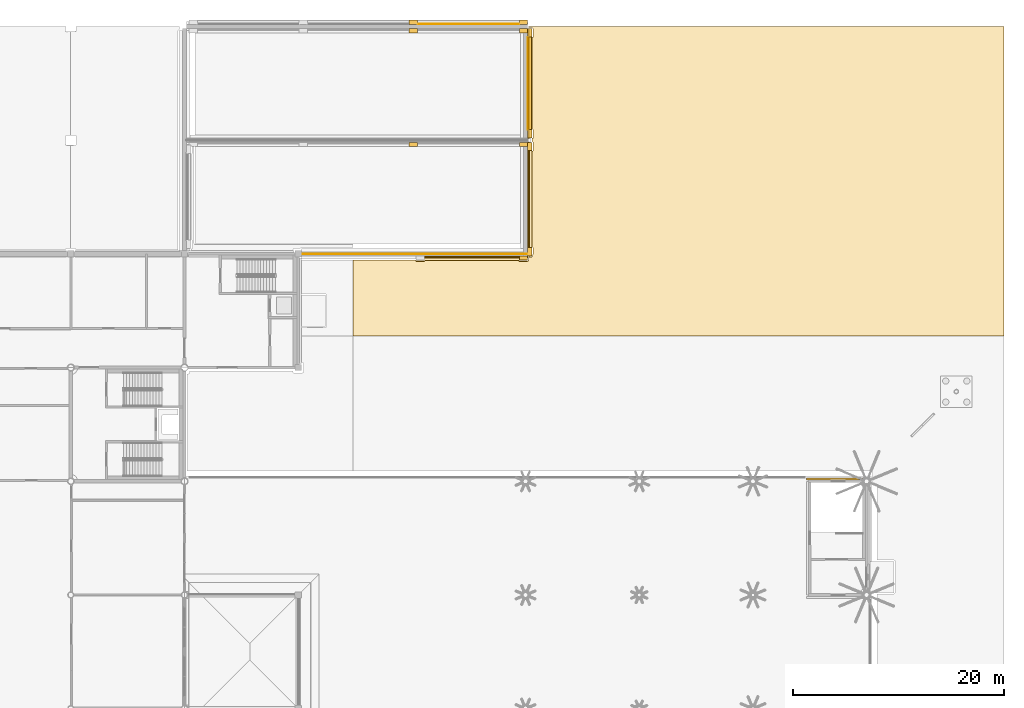
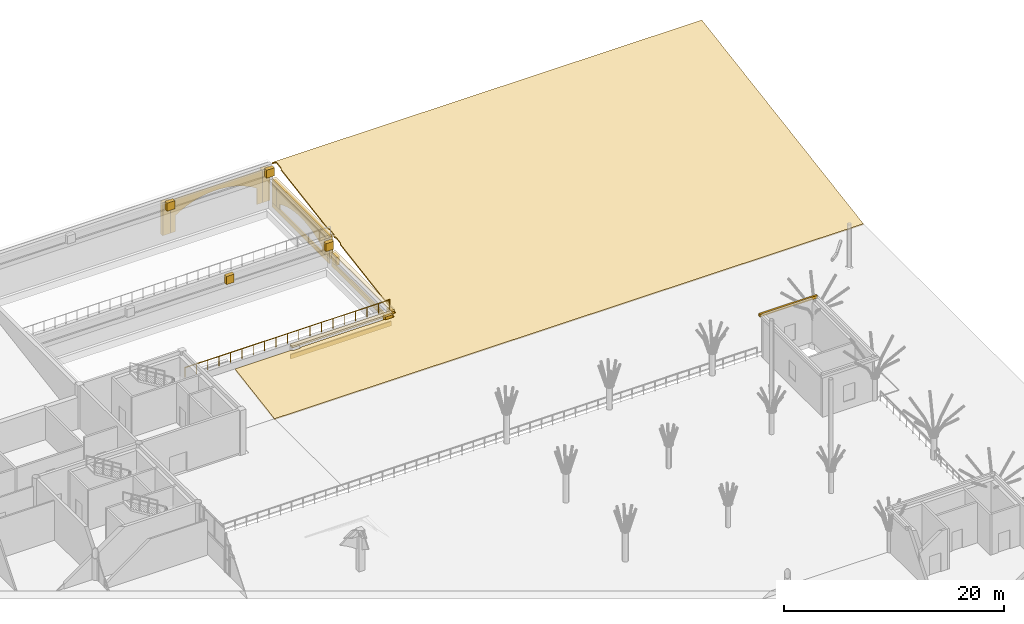
# One storey, part 89 of 91: 22 coverings, 1 railing.
"""IFC4 building model written with IfcOpenShell, lengths in metres."""

from ifc_helpers import new_model, si_unit, direction, frame, origin, origin_2d, place, context, subcontext, project, spatial, polyline, rectangle, circle, outline, extrude, material, layer, layer_set, type_object, element, save


model = new_model("IFC4")

# Units and contexts
model_context = context("Model", 3, precision=1e-05, world=origin(), true_north=direction((0.0, 1.0)))
body_context = subcontext(model_context, "Body", "Model", "MODEL_VIEW")
ifc_project = project(units=[si_unit("LENGTHUNIT", "METRE"), si_unit("AREAUNIT", "SQUARE_METRE"), si_unit("VOLUMEUNIT", "CUBIC_METRE"), si_unit("PLANEANGLEUNIT", "RADIAN"), si_unit("MASSUNIT", "GRAM", prefix="KILO")], contexts=[model_context])

# Site, building, storey
site_placement = place(None, origin())
site = spatial("IfcSite", under=ifc_project, at=site_placement, CompositionType="ELEMENT")
building_placement = place(site_placement, origin())
building = spatial("IfcBuilding", under=site, at=building_placement, Name="Magnolia Steps Interchange", CompositionType="ELEMENT")
storey_placement = place(building_placement, origin())
storey = spatial("IfcBuildingStorey", under=building, at=storey_placement, Name="L00", CompositionType="ELEMENT", Elevation=0.0)

# Coverings
ifc_material_1 = material(Name="Lime render")
ifc_layer_1 = layer(ifc_material_1, 0.080078125)
ifc_layer_set_1 = layer_set([ifc_layer_1], Name="Lime render arch infill")
covering_type_1 = type_object("IfcCoveringType", Name="Lime render arch infill", PredefinedType="CLADDING", material=ifc_layer_set_1)
covering_1_placement = place(storey_placement, frame((140.699951171875, 118.199951171875, 0.5), z_axis=(0.0, -1.0, 0.0), x_axis=(0.0, 0.0, 1.0)))
element("IfcCovering", 1, at=covering_1_placement, inside=storey, type_object=covering_type_1, Name="Blind arch terrace street wall E 1.3", PredefinedType="CLADDING", context=body_context, shape_type="SweptSolid", body=[
    extrude(outline(polyline([(0.0, 0.0), (1.800048828, 0.0), (2.093994141, -0.475097656), (2.342773438, -0.949951172), (2.551513672, -1.425048828), (2.723388672, -1.900146484), (2.861083984, -2.375), (2.966552734, -2.850097656), (3.041015625, -3.324951172), (3.085205078, -3.800048828), (3.100097656, -4.275146484), (3.085205078, -4.75), (3.041015625, -5.225097656), (2.966552734, -5.699951172), (2.861083984, -6.175048828), (2.723388672, -6.650146484), (2.551513672, -7.125), (2.342773438, -7.600097656), (2.093994141, -8.074951172), (1.800048828, -8.550048828), (0.0, -8.550048828), (0.0, -9.100097656), (3.649902344, -9.100097656), (3.649902344, 0.550048828), (0.0, 0.550048828), (0.0, 0.0)])), origin(), (0.0, 0.0, -1.0), 0.080078125),
])
covering_2_placement = place(storey_placement, frame((150.60009765625, 108.199951171875, 0.5), z_axis=(-1.0, 0.0, 0.0), x_axis=(0.0, 0.0, 1.0)))
element("IfcCovering", 2, at=covering_2_placement, inside=storey, type_object=covering_type_1, Name="Blind arch terrace end wall E 2 1.1", PredefinedType="CLADDING", context=body_context, shape_type="SweptSolid", body=[
    extrude(outline(polyline([(0.0, 0.0), (2.050048828, 0.0), (2.050048828, 8.800048828), (0.0, 8.800048828), (0.0, 8.25), (0.600097656, 8.25), (0.797363281, 7.822265625), (0.967285156, 7.39453125), (1.112060547, 6.966796875), (1.232421875, 6.5390625), (1.329833984, 6.111083984), (1.404785156, 5.683349609), (1.457763672, 5.255615234), (1.489501953, 4.827880859), (1.5, 4.400146484), (1.489501953, 3.972167969), (1.457763672, 3.544433594), (1.404785156, 3.116699219), (1.329833984, 2.688964844), (1.232421875, 2.261230469), (1.112060547, 1.833251953), (0.967285156, 1.405761719), (0.797363281, 0.977783203), (0.600097656, 0.550048828), (0.0, 0.550048828), (0.0, 0.0)])), origin(), (0.0, 0.0, -1.0), 0.080078125),
])
ifc_material_2 = material(Name="Lime render")
ifc_layer_2 = layer(ifc_material_2, 0.1201171875)
ifc_layer_set_2 = layer_set([ifc_layer_2], Name="Lime render band")
covering_type_2 = type_object("IfcCoveringType", Name="Lime render band", PredefinedType="CLADDING", material=ifc_layer_set_2)
covering_3_placement = place(storey_placement, frame((145.300048828125, 96.125, 0.0), z_axis=(0.0, 0.0, 1.0), x_axis=(1.0, 0.0, 0.0)))
element("IfcCovering", 3, at=covering_3_placement, inside=storey, type_object=covering_type_2, Name="Plinth course terrace wall E 1 1", PredefinedType="CLADDING", context=body_context, shape_type="SweptSolid", body=[
    extrude(rectangle(XDim=10.60009765625, YDim=0.14990234375, at=origin_2d()), origin(), (0.0, 0.0, 1.0), 0.5),
])
covering_4_placement = place(storey_placement, frame((145.300048828125, 95.989990234375, 1.39990234375), z_axis=(0.0, 0.0, 1.0), x_axis=(1.0, 0.0, 0.0)))
element("IfcCovering", 4, at=covering_4_placement, inside=storey, type_object=covering_type_2, Name="Coping terrace wall E 1 1", PredefinedType="CLADDING", context=body_context, shape_type="SweptSolid", body=[
    extrude(rectangle(XDim=10.60009765625, YDim=0.419921875, at=origin_2d()), origin(), (0.0, 0.0, 1.0), 0.199951171875),
])
covering_5_placement = place(storey_placement, frame((150.675048828125, 101.60009765625, 0.0), z_axis=(0.0, 0.0, 1.0), x_axis=(1.0, 0.0, 0.0)))
element("IfcCovering", 5, at=covering_5_placement, inside=storey, type_object=covering_type_2, Name="Plinth course terrace end wall E 1 1", PredefinedType="CLADDING", context=body_context, shape_type="SweptSolid", body=[
    extrude(rectangle(XDim=0.14990234375, YDim=10.800048828125, at=origin_2d()), origin(), (0.0, 0.0, 1.0), 0.5),
])
covering_6_placement = place(storey_placement, frame((150.81005859375, 101.60009765625, 1.39990234375), z_axis=(0.0, 0.0, 1.0), x_axis=(1.0, 0.0, 0.0)))
element("IfcCovering", 6, at=covering_6_placement, inside=storey, type_object=covering_type_2, Name="Coping terrace end wall E 1 1", PredefinedType="CLADDING", context=body_context, shape_type="SweptSolid", body=[
    extrude(rectangle(XDim=0.419921875, YDim=10.800048828125, at=origin_2d()), origin(), (0.0, 0.0, 1.0), 0.199951171875),
])
covering_7_placement = place(storey_placement, frame((150.675048828125, 112.60009765625, 0.0), z_axis=(0.0, 0.0, 1.0), x_axis=(1.0, 0.0, 0.0)))
element("IfcCovering", 7, at=covering_7_placement, inside=storey, type_object=covering_type_2, Name="Plinth course terrace end wall E 2 1", PredefinedType="CLADDING", context=body_context, shape_type="SweptSolid", body=[
    extrude(rectangle(XDim=0.14990234375, YDim=10.39990234375, at=origin_2d()), origin(), (0.0, 0.0, 1.0), 0.5),
])
covering_8_placement = place(storey_placement, frame((150.77490234375, 112.60009765625, 2.5498046875), z_axis=(0.0, 0.0, 1.0), x_axis=(1.0, 0.0, 0.0)))
element("IfcCovering", 8, at=covering_8_placement, inside=storey, type_object=covering_type_2, Name="Cornice terrace end wall E 2 1", PredefinedType="CLADDING", context=body_context, shape_type="SweptSolid", body=[
    extrude(rectangle(XDim=0.35009765625, YDim=10.39990234375, at=origin_2d()), origin(), (0.0, 0.0, 1.0), 0.449951171875),
])
covering_9_placement = place(storey_placement, frame((150.81005859375, 112.60009765625, 3.0), z_axis=(0.0, 0.0, 1.0), x_axis=(1.0, 0.0, 0.0)))
element("IfcCovering", 9, at=covering_9_placement, inside=storey, type_object=covering_type_2, Name="Coping terrace end wall E 2 1", PredefinedType="CLADDING", context=body_context, shape_type="SweptSolid", body=[
    extrude(rectangle(XDim=0.419921875, YDim=10.39990234375, at=origin_2d()), origin(), (0.0, 0.0, 1.0), 0.199951171875),
])
ifc_material_3 = material(Name="Lime render")
ifc_layer_3 = layer(ifc_material_3, 0.199951171875)
ifc_layer_set_3 = layer_set([ifc_layer_3], Name="Lime render cornice")
covering_type_3 = type_object("IfcCoveringType", Name="Lime render cornice", PredefinedType="CLADDING", material=ifc_layer_set_3)
covering_10_placement = place(storey_placement, frame((180.10009765625, 75.02490234375, 4.5), z_axis=(0.0, 0.0, 1.0), x_axis=(1.0, 0.0, 0.0)))
element("IfcCovering", 10, at=covering_10_placement, inside=storey, type_object=covering_type_3, Name="Cornice BE-E N", PredefinedType="CLADDING", context=body_context, shape_type="SweptSolid", body=[
    extrude(rectangle(XDim=6.050048828125, YDim=0.199951171875, at=origin_2d()), origin(), (0.0, 0.0, 1.0), 0.300048828125),
])
ifc_material_4 = material(Name="Lime render")
ifc_layer_4 = layer(ifc_material_4, 0.39990234375)
ifc_layer_set_4 = layer_set([ifc_layer_4], Name="Lime render pilaster")
covering_type_4 = type_object("IfcCoveringType", Name="Lime render pilaster", PredefinedType="CLADDING", material=ifc_layer_set_4)
for number, where, z_axis, x_axis, name in (
    (11, (150.199951171875, 96.0, 0.5), (0.0, 0.0, 1.0), (1.0, 0.0, 0.0), "Pilaster terrace wall E 1 1.2"),
    (12, (139.75, 106.800048828125, 2.10009765625), (0.0, 0.0, 1.0), (1.0, 0.0, 0.0), "Pilaster terrace wall E 2 1.3"),
    (13, (150.199951171875, 106.800048828125, 2.10009765625), (0.0, 0.0, 1.0), (1.0, 0.0, 0.0), "Pilaster terrace wall E 2 1.4"),
    (14, (139.75, 117.60009765625, 3.699951171875), (0.0, 0.0, 1.0), (1.0, 0.0, 0.0), "Pilaster terrace wall E 3 1.3"),
    (15, (150.199951171875, 117.60009765625, 3.699951171875), (0.0, 0.0, 1.0), (1.0, 0.0, 0.0), "Pilaster terrace wall E 3 1.4"),
):
    element("IfcCovering", number, at=place(storey_placement, frame(where, z_axis=z_axis, x_axis=x_axis)), inside=storey, type_object=covering_type_4, Name=name, PredefinedType="CLADDING", context=body_context, shape_type="SweptSolid", body=[
        extrude(rectangle(XDim=0.800048828125, YDim=0.39990234375, at=origin_2d()), origin(), (0.0, 0.0, 1.0), 0.89990234375),
    ])
for number, where, z_axis, x_axis, name in (
    (16, (139.75, 118.39990234375, 0.5), (0.0, 0.0, 1.0), (1.0, 0.0, 0.0), "Pilaster terrace street wall E 1.3"),
    (17, (150.199951171875, 118.39990234375, 0.5), (0.0, 0.0, 1.0), (1.0, 0.0, 0.0), "Pilaster terrace street wall E 1.4"),
):
    element("IfcCovering", number, at=place(storey_placement, frame(where, z_axis=z_axis, x_axis=x_axis)), inside=storey, type_object=covering_type_4, Name=name, PredefinedType="CLADDING", context=body_context, shape_type="SweptSolid", body=[
        extrude(rectangle(XDim=0.800048828125, YDim=0.39990234375, at=origin_2d()), origin(), (0.0, 0.0, 1.0), 3.64990234375),
    ])
for number, where, z_axis, x_axis, name in (
    (18, (150.800048828125, 96.60009765625, 0.5), (0.0, 0.0, 1.0), (1.0, 0.0, 0.0), "Pilaster terrace end wall E 1 1.1"),
    (19, (150.800048828125, 106.60009765625, 0.5), (0.0, 0.0, 1.0), (1.0, 0.0, 0.0), "Pilaster terrace end wall E 1 1.2"),
):
    element("IfcCovering", number, at=place(storey_placement, frame(where, z_axis=z_axis, x_axis=x_axis)), inside=storey, type_object=covering_type_4, Name=name, PredefinedType="CLADDING", context=body_context, shape_type="SweptSolid", body=[
        extrude(rectangle(XDim=0.39990234375, YDim=0.800048828125, at=origin_2d()), origin(), (0.0, 0.0, 1.0), 0.89990234375),
    ])
for number, where, z_axis, x_axis, name in (
    (20, (150.800048828125, 107.800048828125, 0.5), (0.0, 0.0, 1.0), (1.0, 0.0, 0.0), "Pilaster terrace end wall E 2 1.1"),
    (21, (150.800048828125, 117.39990234375, 0.5), (0.0, 0.0, 1.0), (1.0, 0.0, 0.0), "Pilaster terrace end wall E 2 1.2"),
):
    element("IfcCovering", number, at=place(storey_placement, frame(where, z_axis=z_axis, x_axis=x_axis)), inside=storey, type_object=covering_type_4, Name=name, PredefinedType="CLADDING", context=body_context, shape_type="SweptSolid", body=[
        extrude(rectangle(XDim=0.39990234375, YDim=0.800048828125, at=origin_2d()), origin(), (0.0, 0.0, 1.0), 2.050048828125),
    ])
ifc_material_5 = material(Name="Topsoil and turf on compacted fill")
ifc_layer_5 = layer(ifc_material_5, 0.14990234375)
ifc_layer_set_5 = layer_set([ifc_layer_5], Name="Planted bank 150")
covering_type_5 = type_object("IfcCoveringType", Name="Planted bank 150", PredefinedType="FLOORING", material=ifc_layer_set_5)
covering_11_placement = place(storey_placement, frame((195.85009765625, 88.60009765625, 0.0), z_axis=(-6.61811e-07, -0.161134165444, 0.986932510725), x_axis=(-1.0, 1.0664e-07, -6.53162e-07)))
element("IfcCovering", 22, at=covering_11_placement, inside=storey, type_object=covering_type_5, Name="Planted bank north east", PredefinedType="FLOORING", context=body_context, shape_type="SweptSolid", body=[
    extrude(outline(polyline([(0.0, 0.0), (61.850097656, 0.0), (61.850097656, -7.295285078), (55.950195312, -7.295285078), (55.859863281, -7.194341608), (55.050048828, -7.193859708), (54.950195312, -7.295285078), (46.150146484, -7.295285078), (46.059814453, -7.194341608), (45.25, -7.193859708), (45.152099609, -7.27549764), (45.150146484, -7.59932024), (44.772705078, -7.636406934), (44.750488281, -8.521019485), (44.850097656, -8.612531467), (44.850097656, -17.731707887), (44.750488281, -17.822978919), (44.75, -18.643533083), (44.850097656, -18.744958454), (44.850097656, -18.947528906), (44.750488281, -19.038839277), (44.75, -19.859354102), (44.850097656, -19.960779472), (44.850097656, -28.67449536), (44.750488281, -28.766007342), (44.75, -29.586561506), (44.830566406, -29.686019935), (45.150146484, -29.687745926), (45.150146484, -29.789171297), (0.0, -29.789171297), (0.0, 0.0)])), origin(), (0.0, 0.0, -1.0), 0.14990234375),
])

# Railing
ifc_material_6 = material(Name="Painted steel Q355B", Category="steel")
railing_type = type_object("IfcRailingType", Name="Steel balustrade guard 1100", PredefinedType="GUARDRAIL", material=ifc_material_6)
railing_placement = place(storey_placement, frame((150.60009765625, 96.39990234375, 1.60009765625)))
element("IfcRailing", 23, at=railing_placement, inside=storey, type_object=railing_type, Name="Terrace guard E 1", PredefinedType="GUARDRAIL", context=body_context, shape_type="SweptSolid", body=[
    extrude(circle(Radius=0.030029296875, at=origin_2d()), frame((0.0, 0.0, 1.070068359375), z_axis=(-1.0, 0.0, 0.0), x_axis=(0.0, -1.0, 0.0)), (0.0, 0.0, 1.0), 21.5),
    extrude(circle(Radius=0.02001953125, at=origin_2d()), origin(), (0.0, 0.0, 1.0), 1.0400390625),
    extrude(circle(Radius=0.02001953125, at=origin_2d()), frame((-1.1943359375, 0.0, 0.0)), (0.0, 0.0, 1.0), 1.0400390625),
    extrude(circle(Radius=0.02001953125, at=origin_2d()), frame((-2.388916015625, 0.0, 0.0)), (0.0, 0.0, 1.0), 1.0400390625),
    extrude(circle(Radius=0.02001953125, at=origin_2d()), frame((-3.583251953125, 0.0, 0.0)), (0.0, 0.0, 1.0), 1.0400390625),
    extrude(circle(Radius=0.02001953125, at=origin_2d()), frame((-4.77783203125, 0.0, 0.0)), (0.0, 0.0, 1.0), 1.0400390625),
    extrude(circle(Radius=0.02001953125, at=origin_2d()), frame((-5.97216796875, 0.0, 0.0)), (0.0, 0.0, 1.0), 1.0400390625),
    extrude(circle(Radius=0.02001953125, at=origin_2d()), frame((-7.166748046875, 0.0, 0.0)), (0.0, 0.0, 1.0), 1.0400390625),
    extrude(circle(Radius=0.02001953125, at=origin_2d()), frame((-8.361083984375, 0.0, 0.0)), (0.0, 0.0, 1.0), 1.0400390625),
    extrude(circle(Radius=0.02001953125, at=origin_2d()), frame((-9.5556640625, 0.0, 0.0)), (0.0, 0.0, 1.0), 1.0400390625),
    extrude(circle(Radius=0.02001953125, at=origin_2d()), frame((-10.75, 0.0, 0.0)), (0.0, 0.0, 1.0), 1.0400390625),
    extrude(circle(Radius=0.02001953125, at=origin_2d()), frame((-11.9443359375, 0.0, 0.0)), (0.0, 0.0, 1.0), 1.0400390625),
    extrude(circle(Radius=0.02001953125, at=origin_2d()), frame((-13.138916015625, 0.0, 0.0)), (0.0, 0.0, 1.0), 1.0400390625),
    extrude(circle(Radius=0.02001953125, at=origin_2d()), frame((-14.333251953125, 0.0, 0.0)), (0.0, 0.0, 1.0), 1.0400390625),
    extrude(circle(Radius=0.02001953125, at=origin_2d()), frame((-15.52783203125, 0.0, 0.0)), (0.0, 0.0, 1.0), 1.0400390625),
    extrude(circle(Radius=0.02001953125, at=origin_2d()), frame((-16.72216796875, 0.0, 0.0)), (0.0, 0.0, 1.0), 1.0400390625),
    extrude(circle(Radius=0.02001953125, at=origin_2d()), frame((-17.916748046875, 0.0, 0.0)), (0.0, 0.0, 1.0), 1.0400390625),
    extrude(circle(Radius=0.02001953125, at=origin_2d()), frame((-19.111083984375, 0.0, 0.0)), (0.0, 0.0, 1.0), 1.0400390625),
    extrude(circle(Radius=0.02001953125, at=origin_2d()), frame((-20.3056640625, 0.0, 0.0)), (0.0, 0.0, 1.0), 1.0400390625),
    extrude(circle(Radius=0.02001953125, at=origin_2d()), frame((-21.5, 0.0, 0.0)), (0.0, 0.0, 1.0), 1.0400390625),
])

save(model, "model.ifc")
